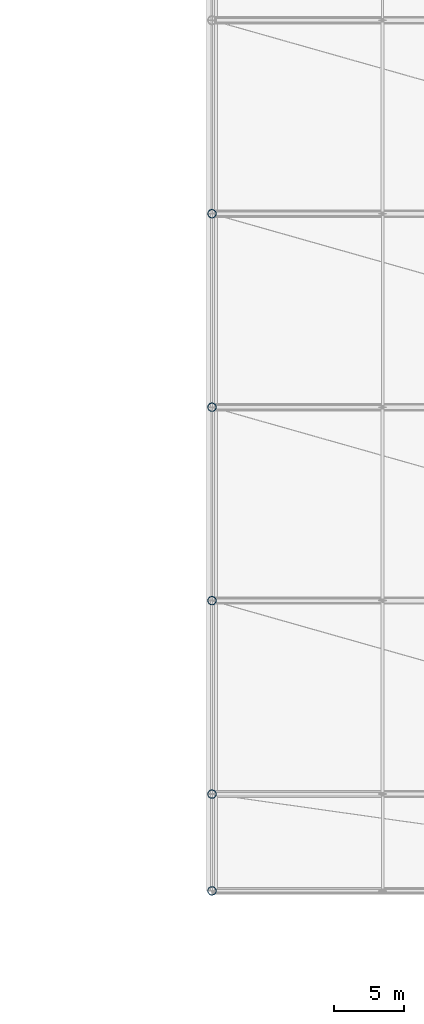
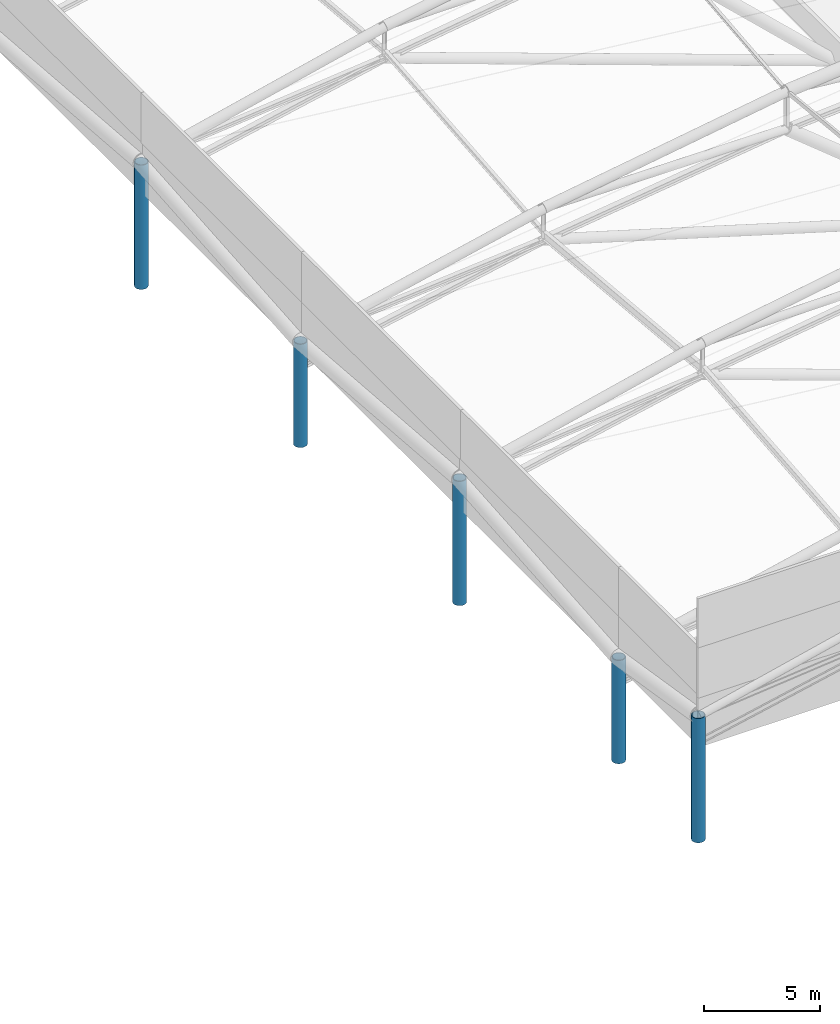
# One storey, part 2 of 113: 5 columns.
"""IFC4 building model written with IfcOpenShell, lengths in metres."""

from ifc_helpers import new_model, si_unit, direction, frame, origin, origin_2d, place, context, subcontext, project, spatial, hollow_circle, extrude, material, material_profile, profile_set, type_object, element, save


model = new_model("IFC4")

# Units and contexts
model_context = context("Model", 3, precision=1e-05, world=origin(), true_north=direction((0.0, 1.0)))
body_context = subcontext(model_context, "Body", "Model", "MODEL_VIEW")
ifc_project = project(units=[si_unit("LENGTHUNIT", "METRE"), si_unit("AREAUNIT", "SQUARE_METRE"), si_unit("VOLUMEUNIT", "CUBIC_METRE"), si_unit("PLANEANGLEUNIT", "RADIAN"), si_unit("MASSUNIT", "GRAM", prefix="KILO")], contexts=[model_context])

# Site, building, storey
site_placement = place(None, origin())
site = spatial("IfcSite", under=ifc_project, at=site_placement, CompositionType="ELEMENT")
building_placement = place(site_placement, origin())
building = spatial("IfcBuilding", under=site, at=building_placement, Name="Linyun Crest Stadium", CompositionType="ELEMENT")
storey_placement = place(building_placement, frame((0.0, 0.0, 26.39990234375)))
storey = spatial("IfcBuildingStorey", under=building, at=storey_placement, Name="L06", CompositionType="ELEMENT", Elevation=26.39990234375)

# Columns
ifc_material = material(Name="Steel Q420C", Category="steel")
ifc_material_profile = material_profile(ifc_material, hollow_circle(Radius=0.304931640625, WallThickness=0.030029296875, at=origin_2d()), Name="CHS 610x30")
ifc_profile_set = profile_set([ifc_material_profile], Name="Steel Q420C")
column_type = type_object("IfcColumnType", Name="MST01", PredefinedType="USERDEFINED", material=ifc_profile_set)
column_1_placement = place(storey_placement, frame((35.5, -46.0, 0.0), z_axis=(0.0, 0.0, 1.0), x_axis=(1.0, 0.0, 0.0)))
element("IfcColumn", 1, at=column_1_placement, inside=storey, type_object=column_type, Name="Roof mast colonnade pier MST01 L06 18", ObjectType="ROOF MAST", PredefinedType="USERDEFINED", context=body_context, shape_type="SweptSolid", body=[
    extrude(hollow_circle(Radius=0.304931640625, WallThickness=0.030029296875, at=origin_2d()), origin(), (0.0, 0.0, 1.0), 6.552978515625),
])
column_2_placement = place(storey_placement, frame((35.5, -39.125, 0.0), z_axis=(0.0, 0.0, 1.0), x_axis=(1.0, 0.0, 0.0)))
element("IfcColumn", 2, at=column_2_placement, inside=storey, type_object=column_type, Name="Roof mast colonnade pier MST01 L06 20", ObjectType="ROOF MAST", PredefinedType="USERDEFINED", context=body_context, shape_type="SweptSolid", body=[
    extrude(hollow_circle(Radius=0.304931640625, WallThickness=0.030029296875, at=origin_2d()), origin(), (0.0, 0.0, 1.0), 5.447998046875),
])
column_3_placement = place(storey_placement, frame((35.5, -25.375, 0.0), z_axis=(0.0, 0.0, 1.0), x_axis=(1.0, 0.0, 0.0)))
element("IfcColumn", 3, at=column_3_placement, inside=storey, type_object=column_type, Name="Roof mast colonnade pier MST01 L06 22", ObjectType="ROOF MAST", PredefinedType="USERDEFINED", context=body_context, shape_type="SweptSolid", body=[
    extrude(hollow_circle(Radius=0.304931640625, WallThickness=0.030029296875, at=origin_2d()), origin(), (0.0, 0.0, 1.0), 6.552978515625),
])
column_4_placement = place(storey_placement, frame((35.5, -11.625, 0.0), z_axis=(0.0, 0.0, 1.0), x_axis=(1.0, 0.0, 0.0)))
element("IfcColumn", 4, at=column_4_placement, inside=storey, type_object=column_type, Name="Roof mast colonnade pier MST01 L06 24", ObjectType="ROOF MAST", PredefinedType="USERDEFINED", context=body_context, shape_type="SweptSolid", body=[
    extrude(hollow_circle(Radius=0.304931640625, WallThickness=0.030029296875, at=origin_2d()), origin(), (0.0, 0.0, 1.0), 5.447998046875),
])
column_5_placement = place(storey_placement, frame((35.5, 2.125, 0.0), z_axis=(0.0, 0.0, 1.0), x_axis=(1.0, 0.0, 0.0)))
element("IfcColumn", 5, at=column_5_placement, inside=storey, type_object=column_type, Name="Roof mast colonnade pier MST01 L06 26", ObjectType="ROOF MAST", PredefinedType="USERDEFINED", context=body_context, shape_type="SweptSolid", body=[
    extrude(hollow_circle(Radius=0.304931640625, WallThickness=0.030029296875, at=origin_2d()), origin(), (0.0, 0.0, 1.0), 6.552978515625),
])

save(model, "model.ifc")
